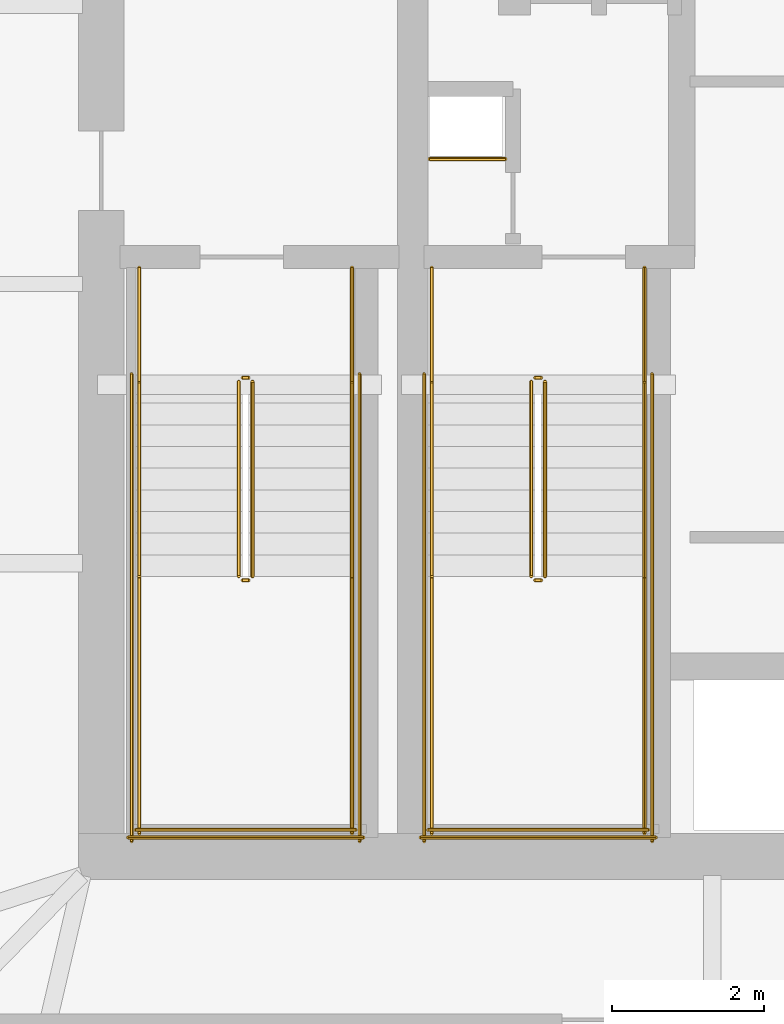
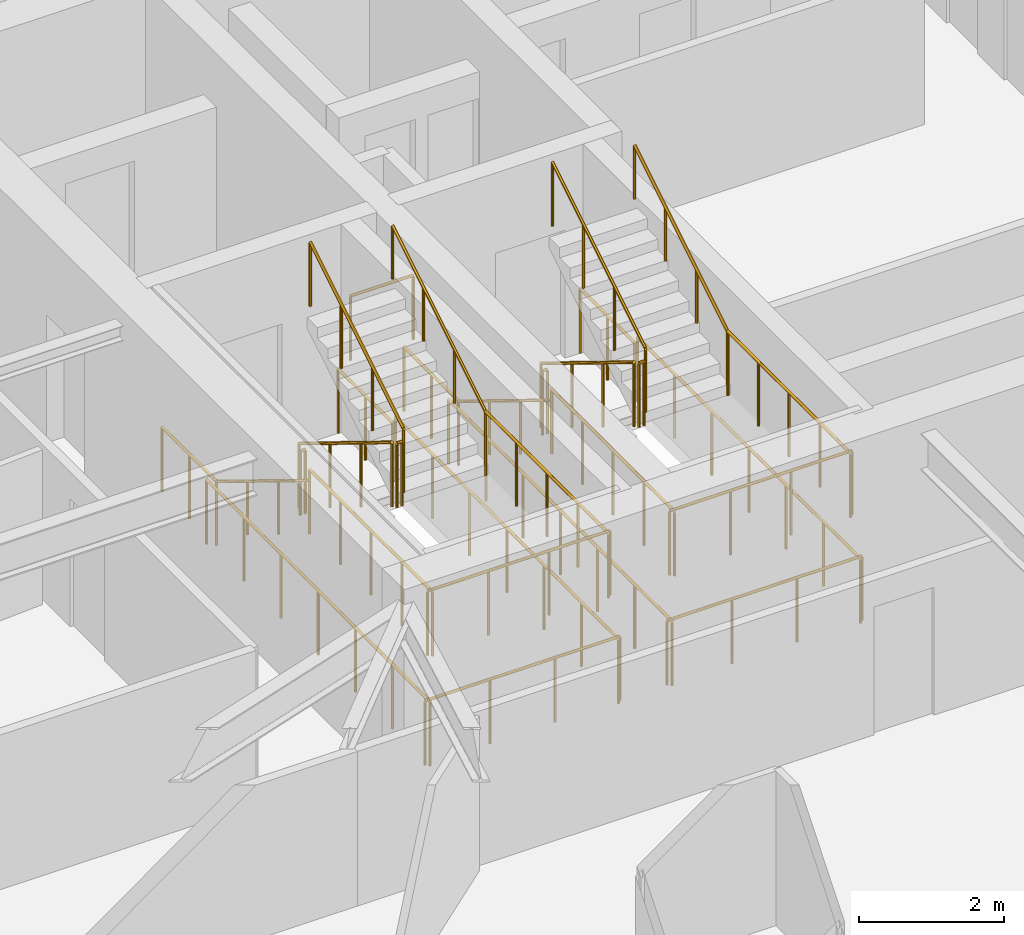
# One storey, part 23 of 26: 29 railings.
"""IFC4 building model written with IfcOpenShell, lengths in metres."""

from ifc_helpers import new_model, si_unit, direction, frame, origin, origin_2d, place, context, subcontext, project, spatial, circle, extrude, material, type_object, element, save


model = new_model("IFC4")

# Units and contexts
model_context = context("Model", 3, precision=1e-05, world=origin(), true_north=direction((0.0, 1.0)))
body_context = subcontext(model_context, "Body", "Model", "MODEL_VIEW")
ifc_project = project(units=[si_unit("LENGTHUNIT", "METRE"), si_unit("AREAUNIT", "SQUARE_METRE"), si_unit("VOLUMEUNIT", "CUBIC_METRE"), si_unit("PLANEANGLEUNIT", "RADIAN"), si_unit("MASSUNIT", "GRAM", prefix="KILO")], contexts=[model_context])

# Site, building, storey
site_placement = place(None, origin())
site = spatial("IfcSite", under=ifc_project, at=site_placement, CompositionType="ELEMENT")
building_placement = place(site_placement, origin())
building = spatial("IfcBuilding", under=site, at=building_placement, Name="Bramvorn Convention Spire", CompositionType="ELEMENT")
storey_placement = place(building_placement, frame((0.0, 0.0, 51.89990234375)))
storey = spatial("IfcBuildingStorey", under=building, at=storey_placement, Name="L10", CompositionType="ELEMENT", Elevation=51.89990234375)

# Railings
ifc_material_1 = material(Name="Painted Steel Balustrade & Guardrail", Category="steel")
railing_type_1 = type_object("IfcRailingType", Name="RL-STAIR-GUARD-1100", PredefinedType="GUARDRAIL", material=ifc_material_1)
railing_1_placement = place(storey_placement, frame((28.81005859375, 25.050048828125, 0.175048828125)))
element("IfcRailing", 1, at=railing_1_placement, inside=storey, type_object=railing_type_1, Name="L10 ST1 stair guard 1", PredefinedType="GUARDRAIL", context=body_context, shape_type="SweptSolid", body=[
    extrude(circle(Radius=0.02392578125, at=origin_2d()), frame((0.0, 0.0, 1.076171875), z_axis=(0.0, -0.852173129349, 0.523259933127), x_axis=(1.0, 0.0, 0.0)), (0.0, 0.0, 1.0), 3.009765625),
    extrude(circle(Radius=0.02099609375, at=origin_2d()), origin(), (0.0, 0.0, 1.0), 1.052001953125),
    extrude(circle(Radius=0.02099609375, at=origin_2d()), frame((0.0, -0.85498046875, 0.52490234375)), (0.0, 0.0, 1.0), 1.052001953125),
    extrude(circle(Radius=0.02099609375, at=origin_2d()), frame((0.0, -1.7099609375, 1.050048828125)), (0.0, 0.0, 1.0), 1.052001953125),
    extrude(circle(Radius=0.02099609375, at=origin_2d()), frame((0.0, -2.56494140625, 1.574951171875)), (0.0, 0.0, 1.0), 1.052001953125),
])
railing_2_placement = place(storey_placement, frame((28.860107421875, 22.43505859375, 1.75)))
element("IfcRailing", 2, at=railing_2_placement, inside=storey, type_object=railing_type_1, Name="L10 ST1 stair guard 2", PredefinedType="GUARDRAIL", context=body_context, shape_type="SweptSolid", body=[
    extrude(circle(Radius=0.02392578125, at=origin_2d()), frame((0.0, 0.0, 1.076171875), z_axis=(1.0, 0.0, 0.0), x_axis=(0.0, 1.0, 0.0)), (0.0, 0.0, 1.0), 0.079833984375),
    extrude(circle(Radius=0.02099609375, at=origin_2d()), origin(), (0.0, 0.0, 1.0), 1.052001953125),
    extrude(circle(Radius=0.02099609375, at=origin_2d()), frame((0.079833984375, 0.0, 0.0)), (0.0, 0.0, 1.0), 1.052001953125),
])
for number, where, name in (
    (3, (27.5, 22.485107421875, 1.75), "L10 ST1 stair guard 3"),
    (4, (30.300048828125, 22.485107421875, 1.75), "L10 ST1 stair guard 4"),
):
    element("IfcRailing", number, at=place(storey_placement, frame(where)), inside=storey, type_object=railing_type_1, Name=name, PredefinedType="GUARDRAIL", context=body_context, shape_type="SweptSolid", body=[
        extrude(circle(Radius=0.02392578125, at=origin_2d()), frame((0.0, 0.0, 1.076171875), z_axis=(0.0, -1.0, 0.0), x_axis=(1.0, 0.0, 0.0)), (0.0, 0.0, 1.0), 3.385009765625),
        extrude(circle(Radius=0.02099609375, at=origin_2d()), origin(), (0.0, 0.0, 1.0), 1.052001953125),
        extrude(circle(Radius=0.02099609375, at=origin_2d()), frame((0.0, -0.84619140625, 0.0)), (0.0, 0.0, 1.0), 1.052001953125),
        extrude(circle(Radius=0.02099609375, at=origin_2d()), frame((0.0, -1.6923828125, 0.0)), (0.0, 0.0, 1.0), 1.052001953125),
        extrude(circle(Radius=0.02099609375, at=origin_2d()), frame((0.0, -2.538818359375, 0.0)), (0.0, 0.0, 1.0), 1.052001953125),
        extrude(circle(Radius=0.02099609375, at=origin_2d()), frame((0.0, -3.385009765625, 0.0)), (0.0, 0.0, 1.0), 1.052001953125),
    ])
railing_3_placement = place(storey_placement, frame((27.449951171875, 19.14990234375, 1.75)))
element("IfcRailing", 5, at=railing_3_placement, inside=storey, type_object=railing_type_1, Name="L10 ST1 stair guard 5", PredefinedType="GUARDRAIL", context=body_context, shape_type="SweptSolid", body=[
    extrude(circle(Radius=0.02392578125, at=origin_2d()), frame((0.0, 0.0, 1.076171875), z_axis=(1.0, 0.0, 0.0), x_axis=(0.0, 1.0, 0.0)), (0.0, 0.0, 1.0), 2.900146484375),
    extrude(circle(Radius=0.02099609375, at=origin_2d()), origin(), (0.0, 0.0, 1.0), 1.052001953125),
    extrude(circle(Radius=0.02099609375, at=origin_2d()), frame((0.966796875, 0.0, 0.0)), (0.0, 0.0, 1.0), 1.052001953125),
    extrude(circle(Radius=0.02099609375, at=origin_2d()), frame((1.933349609375, 0.0, 0.0)), (0.0, 0.0, 1.0), 1.052001953125),
    extrude(circle(Radius=0.02099609375, at=origin_2d()), frame((2.900146484375, 0.0, 0.0)), (0.0, 0.0, 1.0), 1.052001953125),
])
railing_4_placement = place(storey_placement, frame((28.989990234375, 22.485107421875, 1.925048828125)))
element("IfcRailing", 6, at=railing_4_placement, inside=storey, type_object=railing_type_1, Name="L10 ST1 stair guard 6", PredefinedType="GUARDRAIL", context=body_context, shape_type="SweptSolid", body=[
    extrude(circle(Radius=0.02392578125, at=origin_2d()), frame((0.0, 0.0, 1.076171875), z_axis=(0.0, 0.852173129349, 0.523259933127), x_axis=(-1.0, 0.0, 0.0)), (0.0, 0.0, 1.0), 3.009765625),
    extrude(circle(Radius=0.02099609375, at=origin_2d()), origin(), (0.0, 0.0, 1.0), 1.052001953125),
    extrude(circle(Radius=0.02099609375, at=origin_2d()), frame((0.0, 0.85498046875, 0.52490234375)), (0.0, 0.0, 1.0), 1.052001953125),
    extrude(circle(Radius=0.02099609375, at=origin_2d()), frame((0.0, 1.7099609375, 1.050048828125)), (0.0, 0.0, 1.0), 1.052001953125),
    extrude(circle(Radius=0.02099609375, at=origin_2d()), frame((0.0, 2.56494140625, 1.574951171875)), (0.0, 0.0, 1.0), 1.052001953125),
])
railing_5_placement = place(storey_placement, frame((28.860107421875, 25.10009765625, 0.0)))
element("IfcRailing", 7, at=railing_5_placement, inside=storey, type_object=railing_type_1, Name="L10 ST1 stair guard 7", PredefinedType="GUARDRAIL", context=body_context, shape_type="SweptSolid", body=[
    extrude(circle(Radius=0.02392578125, at=origin_2d()), frame((0.0, 0.0, 1.076171875), z_axis=(1.0, 0.0, 0.0), x_axis=(0.0, 1.0, 0.0)), (0.0, 0.0, 1.0), 0.079833984375),
    extrude(circle(Radius=0.02099609375, at=origin_2d()), origin(), (0.0, 0.0, 1.0), 1.052001953125),
    extrude(circle(Radius=0.02099609375, at=origin_2d()), frame((0.079833984375, 0.0, 0.0)), (0.0, 0.0, 1.0), 1.052001953125),
])
for number, where, name in (
    (8, (27.5, 26.550048828125, 0.0), "L10 ST1 stair guard 8"),
    (9, (30.300048828125, 26.550048828125, 0.0), "L10 ST1 stair guard 9"),
):
    element("IfcRailing", number, at=place(storey_placement, frame(where)), inside=storey, type_object=railing_type_1, Name=name, PredefinedType="GUARDRAIL", context=body_context, shape_type="SweptSolid", body=[
        extrude(circle(Radius=0.02392578125, at=origin_2d()), frame((0.0, 0.0, 1.076171875), z_axis=(0.0, -1.0, 0.0), x_axis=(1.0, 0.0, 0.0)), (0.0, 0.0, 1.0), 1.5),
        extrude(circle(Radius=0.02099609375, at=origin_2d()), origin(), (0.0, 0.0, 1.0), 1.052001953125),
        extrude(circle(Radius=0.02099609375, at=origin_2d()), frame((0.0, -0.75, 0.0)), (0.0, 0.0, 1.0), 1.052001953125),
        extrude(circle(Radius=0.02099609375, at=origin_2d()), frame((0.0, -1.5, 0.0)), (0.0, 0.0, 1.0), 1.052001953125),
    ])
for number, where, name in (
    (10, (27.39990234375, 25.14990234375, 0.0), "L10 ST1 stair guard 10"),
    (11, (30.39990234375, 25.14990234375, 0.0), "L10 ST1 stair guard 11"),
):
    element("IfcRailing", number, at=place(storey_placement, frame(where)), inside=storey, type_object=railing_type_1, Name=name, PredefinedType="GUARDRAIL", context=body_context, shape_type="SweptSolid", body=[
        extrude(circle(Radius=0.02392578125, at=origin_2d()), frame((0.0, 0.0, 1.076171875), z_axis=(0.0, -1.0, 0.0), x_axis=(1.0, 0.0, 0.0)), (0.0, 0.0, 1.0), 6.14990234375),
        extrude(circle(Radius=0.02099609375, at=origin_2d()), origin(), (0.0, 0.0, 1.0), 1.052001953125),
        extrude(circle(Radius=0.02099609375, at=origin_2d()), frame((0.0, -1.02490234375, 0.0)), (0.0, 0.0, 1.0), 1.052001953125),
        extrude(circle(Radius=0.02099609375, at=origin_2d()), frame((0.0, -2.050048828125, 0.0)), (0.0, 0.0, 1.0), 1.052001953125),
        extrude(circle(Radius=0.02099609375, at=origin_2d()), frame((0.0, -3.074951171875, 0.0)), (0.0, 0.0, 1.0), 1.052001953125),
        extrude(circle(Radius=0.02099609375, at=origin_2d()), frame((0.0, -4.099853515625, 0.0)), (0.0, 0.0, 1.0), 1.052001953125),
        extrude(circle(Radius=0.02099609375, at=origin_2d()), frame((0.0, -5.125, 0.0)), (0.0, 0.0, 1.0), 1.052001953125),
        extrude(circle(Radius=0.02099609375, at=origin_2d()), frame((0.0, -6.14990234375, 0.0)), (0.0, 0.0, 1.0), 1.052001953125),
    ])
railing_6_placement = place(storey_placement, frame((27.35009765625, 19.050048828125, 0.0)))
element("IfcRailing", 12, at=railing_6_placement, inside=storey, type_object=railing_type_1, Name="L10 ST1 stair guard 12", PredefinedType="GUARDRAIL", context=body_context, shape_type="SweptSolid", body=[
    extrude(circle(Radius=0.02392578125, at=origin_2d()), frame((0.0, 0.0, 1.076171875), z_axis=(1.0, 0.0, 0.0), x_axis=(0.0, 1.0, 0.0)), (0.0, 0.0, 1.0), 3.099853515625),
    extrude(circle(Radius=0.02099609375, at=origin_2d()), origin(), (0.0, 0.0, 1.0), 1.052001953125),
    extrude(circle(Radius=0.02099609375, at=origin_2d()), frame((1.033203125, 0.0, 0.0)), (0.0, 0.0, 1.0), 1.052001953125),
    extrude(circle(Radius=0.02099609375, at=origin_2d()), frame((2.066650390625, 0.0, 0.0)), (0.0, 0.0, 1.0), 1.052001953125),
    extrude(circle(Radius=0.02099609375, at=origin_2d()), frame((3.099853515625, 0.0, 0.0)), (0.0, 0.0, 1.0), 1.052001953125),
])
railing_7_placement = place(storey_placement, frame((32.659912109375, 25.050048828125, 0.175048828125)))
element("IfcRailing", 13, at=railing_7_placement, inside=storey, type_object=railing_type_1, Name="L10 ST3 stair guard 1", PredefinedType="GUARDRAIL", context=body_context, shape_type="SweptSolid", body=[
    extrude(circle(Radius=0.02392578125, at=origin_2d()), frame((0.0, 0.0, 1.076171875), z_axis=(0.0, -0.852173129349, 0.523259933127), x_axis=(1.0, 0.0, 0.0)), (0.0, 0.0, 1.0), 3.009765625),
    extrude(circle(Radius=0.02099609375, at=origin_2d()), origin(), (0.0, 0.0, 1.0), 1.052001953125),
    extrude(circle(Radius=0.02099609375, at=origin_2d()), frame((0.0, -0.85498046875, 0.52490234375)), (0.0, 0.0, 1.0), 1.052001953125),
    extrude(circle(Radius=0.02099609375, at=origin_2d()), frame((0.0, -1.7099609375, 1.050048828125)), (0.0, 0.0, 1.0), 1.052001953125),
    extrude(circle(Radius=0.02099609375, at=origin_2d()), frame((0.0, -2.56494140625, 1.574951171875)), (0.0, 0.0, 1.0), 1.052001953125),
])
railing_8_placement = place(storey_placement, frame((32.7099609375, 22.43505859375, 1.75)))
element("IfcRailing", 14, at=railing_8_placement, inside=storey, type_object=railing_type_1, Name="L10 ST3 stair guard 2", PredefinedType="GUARDRAIL", context=body_context, shape_type="SweptSolid", body=[
    extrude(circle(Radius=0.02392578125, at=origin_2d()), frame((0.0, 0.0, 1.076171875), z_axis=(1.0, 0.0, 0.0), x_axis=(0.0, 1.0, 0.0)), (0.0, 0.0, 1.0), 0.080078125),
    extrude(circle(Radius=0.02099609375, at=origin_2d()), origin(), (0.0, 0.0, 1.0), 1.052001953125),
    extrude(circle(Radius=0.02099609375, at=origin_2d()), frame((0.080078125, 0.0, 0.0)), (0.0, 0.0, 1.0), 1.052001953125),
])
for number, where, name in (
    (15, (31.35009765625, 22.485107421875, 1.75), "L10 ST3 stair guard 3"),
    (16, (34.14990234375, 22.485107421875, 1.75), "L10 ST3 stair guard 4"),
):
    element("IfcRailing", number, at=place(storey_placement, frame(where)), inside=storey, type_object=railing_type_1, Name=name, PredefinedType="GUARDRAIL", context=body_context, shape_type="SweptSolid", body=[
        extrude(circle(Radius=0.02392578125, at=origin_2d()), frame((0.0, 0.0, 1.076171875), z_axis=(0.0, -1.0, 0.0), x_axis=(1.0, 0.0, 0.0)), (0.0, 0.0, 1.0), 3.385009765625),
        extrude(circle(Radius=0.02099609375, at=origin_2d()), origin(), (0.0, 0.0, 1.0), 1.052001953125),
        extrude(circle(Radius=0.02099609375, at=origin_2d()), frame((0.0, -0.84619140625, 0.0)), (0.0, 0.0, 1.0), 1.052001953125),
        extrude(circle(Radius=0.02099609375, at=origin_2d()), frame((0.0, -1.6923828125, 0.0)), (0.0, 0.0, 1.0), 1.052001953125),
        extrude(circle(Radius=0.02099609375, at=origin_2d()), frame((0.0, -2.538818359375, 0.0)), (0.0, 0.0, 1.0), 1.052001953125),
        extrude(circle(Radius=0.02099609375, at=origin_2d()), frame((0.0, -3.385009765625, 0.0)), (0.0, 0.0, 1.0), 1.052001953125),
    ])
railing_9_placement = place(storey_placement, frame((31.300048828125, 19.14990234375, 1.75)))
element("IfcRailing", 17, at=railing_9_placement, inside=storey, type_object=railing_type_1, Name="L10 ST3 stair guard 5", PredefinedType="GUARDRAIL", context=body_context, shape_type="SweptSolid", body=[
    extrude(circle(Radius=0.02392578125, at=origin_2d()), frame((0.0, 0.0, 1.076171875), z_axis=(1.0, 0.0, 0.0), x_axis=(0.0, 1.0, 0.0)), (0.0, 0.0, 1.0), 2.89990234375),
    extrude(circle(Radius=0.02099609375, at=origin_2d()), origin(), (0.0, 0.0, 1.0), 1.052001953125),
    extrude(circle(Radius=0.02099609375, at=origin_2d()), frame((0.966552734375, 0.0, 0.0)), (0.0, 0.0, 1.0), 1.052001953125),
    extrude(circle(Radius=0.02099609375, at=origin_2d()), frame((1.933349609375, 0.0, 0.0)), (0.0, 0.0, 1.0), 1.052001953125),
    extrude(circle(Radius=0.02099609375, at=origin_2d()), frame((2.89990234375, 0.0, 0.0)), (0.0, 0.0, 1.0), 1.052001953125),
])
railing_10_placement = place(storey_placement, frame((32.840087890625, 22.485107421875, 1.925048828125)))
element("IfcRailing", 18, at=railing_10_placement, inside=storey, type_object=railing_type_1, Name="L10 ST3 stair guard 6", PredefinedType="GUARDRAIL", context=body_context, shape_type="SweptSolid", body=[
    extrude(circle(Radius=0.02392578125, at=origin_2d()), frame((0.0, 0.0, 1.076171875), z_axis=(0.0, 0.852173129349, 0.523259933127), x_axis=(-1.0, 0.0, 0.0)), (0.0, 0.0, 1.0), 3.009765625),
    extrude(circle(Radius=0.02099609375, at=origin_2d()), origin(), (0.0, 0.0, 1.0), 1.052001953125),
    extrude(circle(Radius=0.02099609375, at=origin_2d()), frame((0.0, 0.85498046875, 0.52490234375)), (0.0, 0.0, 1.0), 1.052001953125),
    extrude(circle(Radius=0.02099609375, at=origin_2d()), frame((0.0, 1.7099609375, 1.050048828125)), (0.0, 0.0, 1.0), 1.052001953125),
    extrude(circle(Radius=0.02099609375, at=origin_2d()), frame((0.0, 2.56494140625, 1.574951171875)), (0.0, 0.0, 1.0), 1.052001953125),
])
railing_11_placement = place(storey_placement, frame((32.7099609375, 25.10009765625, 0.0)))
element("IfcRailing", 19, at=railing_11_placement, inside=storey, type_object=railing_type_1, Name="L10 ST3 stair guard 7", PredefinedType="GUARDRAIL", context=body_context, shape_type="SweptSolid", body=[
    extrude(circle(Radius=0.02392578125, at=origin_2d()), frame((0.0, 0.0, 1.076171875), z_axis=(1.0, 0.0, 0.0), x_axis=(0.0, 1.0, 0.0)), (0.0, 0.0, 1.0), 0.080078125),
    extrude(circle(Radius=0.02099609375, at=origin_2d()), origin(), (0.0, 0.0, 1.0), 1.052001953125),
    extrude(circle(Radius=0.02099609375, at=origin_2d()), frame((0.080078125, 0.0, 0.0)), (0.0, 0.0, 1.0), 1.052001953125),
])
for number, where, name in (
    (20, (31.35009765625, 26.550048828125, 0.0), "L10 ST3 stair guard 8"),
    (21, (34.14990234375, 26.550048828125, 0.0), "L10 ST3 stair guard 9"),
):
    element("IfcRailing", number, at=place(storey_placement, frame(where)), inside=storey, type_object=railing_type_1, Name=name, PredefinedType="GUARDRAIL", context=body_context, shape_type="SweptSolid", body=[
        extrude(circle(Radius=0.02392578125, at=origin_2d()), frame((0.0, 0.0, 1.076171875), z_axis=(0.0, -1.0, 0.0), x_axis=(1.0, 0.0, 0.0)), (0.0, 0.0, 1.0), 1.5),
        extrude(circle(Radius=0.02099609375, at=origin_2d()), origin(), (0.0, 0.0, 1.0), 1.052001953125),
        extrude(circle(Radius=0.02099609375, at=origin_2d()), frame((0.0, -0.75, 0.0)), (0.0, 0.0, 1.0), 1.052001953125),
        extrude(circle(Radius=0.02099609375, at=origin_2d()), frame((0.0, -1.5, 0.0)), (0.0, 0.0, 1.0), 1.052001953125),
    ])
for number, where, name in (
    (22, (31.25, 25.14990234375, 0.0), "L10 ST3 stair guard 10"),
    (23, (34.25, 25.14990234375, 0.0), "L10 ST3 stair guard 11"),
):
    element("IfcRailing", number, at=place(storey_placement, frame(where)), inside=storey, type_object=railing_type_1, Name=name, PredefinedType="GUARDRAIL", context=body_context, shape_type="SweptSolid", body=[
        extrude(circle(Radius=0.02392578125, at=origin_2d()), frame((0.0, 0.0, 1.076171875), z_axis=(0.0, -1.0, 0.0), x_axis=(1.0, 0.0, 0.0)), (0.0, 0.0, 1.0), 6.14990234375),
        extrude(circle(Radius=0.02099609375, at=origin_2d()), origin(), (0.0, 0.0, 1.0), 1.052001953125),
        extrude(circle(Radius=0.02099609375, at=origin_2d()), frame((0.0, -1.02490234375, 0.0)), (0.0, 0.0, 1.0), 1.052001953125),
        extrude(circle(Radius=0.02099609375, at=origin_2d()), frame((0.0, -2.050048828125, 0.0)), (0.0, 0.0, 1.0), 1.052001953125),
        extrude(circle(Radius=0.02099609375, at=origin_2d()), frame((0.0, -3.074951171875, 0.0)), (0.0, 0.0, 1.0), 1.052001953125),
        extrude(circle(Radius=0.02099609375, at=origin_2d()), frame((0.0, -4.099853515625, 0.0)), (0.0, 0.0, 1.0), 1.052001953125),
        extrude(circle(Radius=0.02099609375, at=origin_2d()), frame((0.0, -5.125, 0.0)), (0.0, 0.0, 1.0), 1.052001953125),
        extrude(circle(Radius=0.02099609375, at=origin_2d()), frame((0.0, -6.14990234375, 0.0)), (0.0, 0.0, 1.0), 1.052001953125),
    ])
railing_12_placement = place(storey_placement, frame((31.199951171875, 19.050048828125, 0.0)))
element("IfcRailing", 24, at=railing_12_placement, inside=storey, type_object=railing_type_1, Name="L10 ST3 stair guard 12", PredefinedType="GUARDRAIL", context=body_context, shape_type="SweptSolid", body=[
    extrude(circle(Radius=0.02392578125, at=origin_2d()), frame((0.0, 0.0, 1.076171875), z_axis=(1.0, 0.0, 0.0), x_axis=(0.0, 1.0, 0.0)), (0.0, 0.0, 1.0), 3.10009765625),
    extrude(circle(Radius=0.02099609375, at=origin_2d()), origin(), (0.0, 0.0, 1.0), 1.052001953125),
    extrude(circle(Radius=0.02099609375, at=origin_2d()), frame((1.033447265625, 0.0, 0.0)), (0.0, 0.0, 1.0), 1.052001953125),
    extrude(circle(Radius=0.02099609375, at=origin_2d()), frame((2.066650390625, 0.0, 0.0)), (0.0, 0.0, 1.0), 1.052001953125),
    extrude(circle(Radius=0.02099609375, at=origin_2d()), frame((3.10009765625, 0.0, 0.0)), (0.0, 0.0, 1.0), 1.052001953125),
])
railing_13_placement = place(storey_placement, frame((31.320068359375, 27.97998046875, 0.0)))
element("IfcRailing", 25, at=railing_13_placement, inside=storey, type_object=railing_type_1, Name="L10 Telecom riser shaft opening safety guardrail", PredefinedType="GUARDRAIL", context=body_context, shape_type="SweptSolid", body=[
    extrude(circle(Radius=0.02392578125, at=origin_2d()), frame((0.0, 0.0, 1.076171875), z_axis=(1.0, 0.0, 0.0), x_axis=(0.0, 1.0, 0.0)), (0.0, 0.0, 1.0), 1.0),
    extrude(circle(Radius=0.02099609375, at=origin_2d()), origin(), (0.0, 0.0, 1.0), 1.052001953125),
    extrude(circle(Radius=0.02099609375, at=origin_2d()), frame((1.0, 0.0, 0.0)), (0.0, 0.0, 1.0), 1.052001953125),
])
ifc_material_2 = material(Name="Brushed Bronze Tubular Handrail", Category="aluminium")
railing_type_2 = type_object("IfcRailingType", Name="RL-STAIR-HR-920", PredefinedType="HANDRAIL", material=ifc_material_2)
railing_14_placement = place(storey_placement, frame((27.5, 25.050048828125, 0.175048828125)))
element("IfcRailing", 26, at=railing_14_placement, inside=storey, type_object=railing_type_2, Name="L10 ST1 stair handrail 1", PredefinedType="HANDRAIL", context=body_context, shape_type="SweptSolid", body=[
    extrude(circle(Radius=0.02392578125, at=origin_2d()), frame((0.0, 0.0, 0.89599609375), z_axis=(0.0, -0.852173129349, 0.523259933127), x_axis=(1.0, 0.0, 0.0)), (0.0, 0.0, 1.0), 3.009765625),
    extrude(circle(Radius=0.02099609375, at=origin_2d()), origin(), (0.0, 0.0, 1.0), 0.871826171875),
    extrude(circle(Radius=0.02099609375, at=origin_2d()), frame((0.0, -0.85498046875, 0.52490234375)), (0.0, 0.0, 1.0), 0.871826171875),
    extrude(circle(Radius=0.02099609375, at=origin_2d()), frame((0.0, -1.7099609375, 1.050048828125)), (0.0, 0.0, 1.0), 0.871826171875),
    extrude(circle(Radius=0.02099609375, at=origin_2d()), frame((0.0, -2.56494140625, 1.574951171875)), (0.0, 0.0, 1.0), 0.871826171875),
])
railing_15_placement = place(storey_placement, frame((30.300048828125, 22.485107421875, 1.925048828125)))
element("IfcRailing", 27, at=railing_15_placement, inside=storey, type_object=railing_type_2, Name="L10 ST1 stair handrail 2", PredefinedType="HANDRAIL", context=body_context, shape_type="SweptSolid", body=[
    extrude(circle(Radius=0.02392578125, at=origin_2d()), frame((0.0, 0.0, 0.89599609375), z_axis=(0.0, 0.852173129349, 0.523259933127), x_axis=(-1.0, 0.0, 0.0)), (0.0, 0.0, 1.0), 3.009765625),
    extrude(circle(Radius=0.02099609375, at=origin_2d()), origin(), (0.0, 0.0, 1.0), 0.871826171875),
    extrude(circle(Radius=0.02099609375, at=origin_2d()), frame((0.0, 0.85498046875, 0.52490234375)), (0.0, 0.0, 1.0), 0.871826171875),
    extrude(circle(Radius=0.02099609375, at=origin_2d()), frame((0.0, 1.7099609375, 1.050048828125)), (0.0, 0.0, 1.0), 0.871826171875),
    extrude(circle(Radius=0.02099609375, at=origin_2d()), frame((0.0, 2.56494140625, 1.574951171875)), (0.0, 0.0, 1.0), 0.871826171875),
])
railing_16_placement = place(storey_placement, frame((31.35009765625, 25.050048828125, 0.175048828125)))
element("IfcRailing", 28, at=railing_16_placement, inside=storey, type_object=railing_type_2, Name="L10 ST3 stair handrail 1", PredefinedType="HANDRAIL", context=body_context, shape_type="SweptSolid", body=[
    extrude(circle(Radius=0.02392578125, at=origin_2d()), frame((0.0, 0.0, 0.89599609375), z_axis=(0.0, -0.852173129349, 0.523259933127), x_axis=(1.0, 0.0, 0.0)), (0.0, 0.0, 1.0), 3.009765625),
    extrude(circle(Radius=0.02099609375, at=origin_2d()), origin(), (0.0, 0.0, 1.0), 0.871826171875),
    extrude(circle(Radius=0.02099609375, at=origin_2d()), frame((0.0, -0.85498046875, 0.52490234375)), (0.0, 0.0, 1.0), 0.871826171875),
    extrude(circle(Radius=0.02099609375, at=origin_2d()), frame((0.0, -1.7099609375, 1.050048828125)), (0.0, 0.0, 1.0), 0.871826171875),
    extrude(circle(Radius=0.02099609375, at=origin_2d()), frame((0.0, -2.56494140625, 1.574951171875)), (0.0, 0.0, 1.0), 0.871826171875),
])
railing_17_placement = place(storey_placement, frame((34.14990234375, 22.485107421875, 1.925048828125)))
element("IfcRailing", 29, at=railing_17_placement, inside=storey, type_object=railing_type_2, Name="L10 ST3 stair handrail 2", PredefinedType="HANDRAIL", context=body_context, shape_type="SweptSolid", body=[
    extrude(circle(Radius=0.02392578125, at=origin_2d()), frame((0.0, 0.0, 0.89599609375), z_axis=(0.0, 0.852173129349, 0.523259933127), x_axis=(-1.0, 0.0, 0.0)), (0.0, 0.0, 1.0), 3.009765625),
    extrude(circle(Radius=0.02099609375, at=origin_2d()), origin(), (0.0, 0.0, 1.0), 0.871826171875),
    extrude(circle(Radius=0.02099609375, at=origin_2d()), frame((0.0, 0.85498046875, 0.52490234375)), (0.0, 0.0, 1.0), 0.871826171875),
    extrude(circle(Radius=0.02099609375, at=origin_2d()), frame((0.0, 1.7099609375, 1.050048828125)), (0.0, 0.0, 1.0), 0.871826171875),
    extrude(circle(Radius=0.02099609375, at=origin_2d()), frame((0.0, 2.56494140625, 1.574951171875)), (0.0, 0.0, 1.0), 0.871826171875),
])

save(model, "model.ifc")
